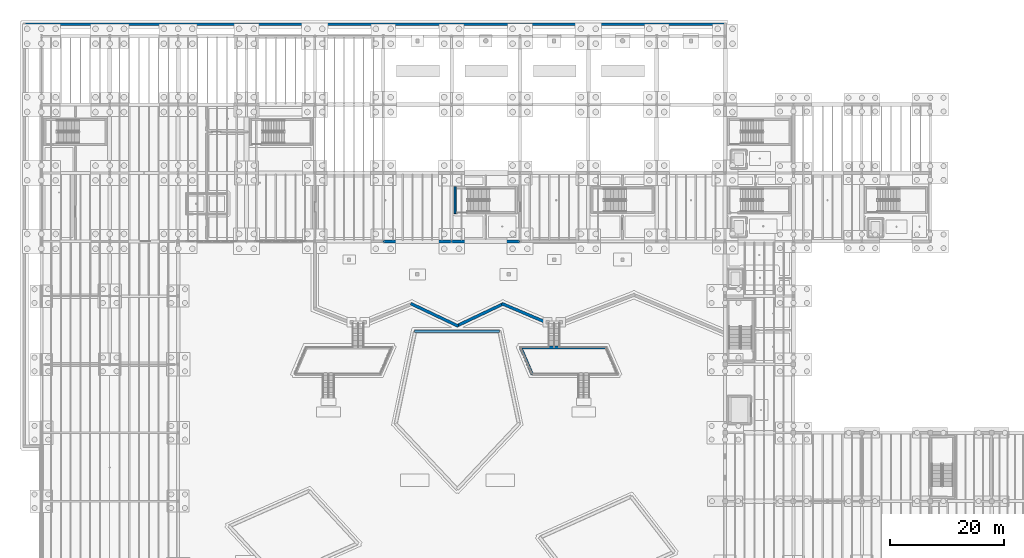
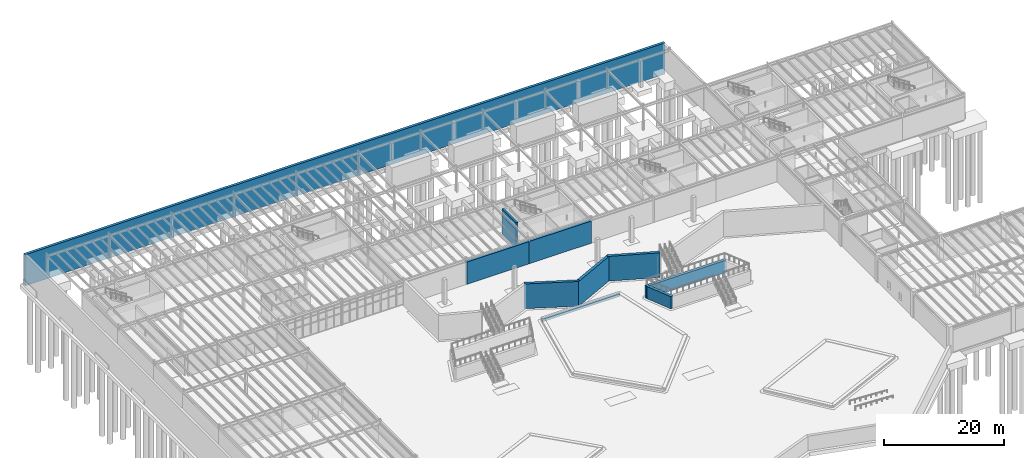
# One storey, part 36 of 67: 10 walls.
"""IFC4 building model written with IfcOpenShell, lengths in metres."""

from ifc_helpers import new_model, si_unit, direction, frame, frame_2d, origin, place, context, subcontext, project, spatial, rectangle, extrude, material, layer, layer_set, type_object, element, save


model = new_model("IFC4")

# Units and contexts
model_context = context("Model", 3, precision=1e-05, world=origin(), true_north=direction((0.0, 1.0)))
body_context = subcontext(model_context, "Body", "Model", "MODEL_VIEW")
ifc_project = project(units=[si_unit("LENGTHUNIT", "METRE"), si_unit("AREAUNIT", "SQUARE_METRE"), si_unit("VOLUMEUNIT", "CUBIC_METRE"), si_unit("PLANEANGLEUNIT", "RADIAN"), si_unit("MASSUNIT", "GRAM", prefix="KILO")], contexts=[model_context])

# Site, building, storey
site_placement = place(None, origin())
site = spatial("IfcSite", under=ifc_project, at=site_placement, CompositionType="ELEMENT")
building_placement = place(site_placement, origin())
building = spatial("IfcBuilding", under=site, at=building_placement, Name="Zlatogorsky Bluff Art Gallery", CompositionType="ELEMENT")
storey_placement = place(building_placement, frame((0.0, 0.0, -5.39990234375)))
storey = spatial("IfcBuildingStorey", under=building, at=storey_placement, Name="B1", CompositionType="ELEMENT", Elevation=-5.39990234375)

# Walls
ifc_material_1 = material(Name="Precast concrete C40/50", Category="concrete")
ifc_layer_1 = layer(ifc_material_1, 0.47998046875)
ifc_layer_set_1 = layer_set([ifc_layer_1], Name="Exterior Wall EW-05 480mm")
wall_type_1 = type_object("IfcWallType", Name="Exterior Wall EW-05 480mm", PredefinedType="SOLIDWALL", material=ifc_layer_set_1)
wall_1_placement = place(storey_placement, frame((80.39990234375, 68.199951171875, 0.0), z_axis=(0.0, 0.0, 1.0), x_axis=(-1.0, 0.0, 0.0)))
element("IfcWall", 1, at=wall_1_placement, inside=storey, type_object=wall_type_1, Name="Stepped river-bluff angled concrete wall PRW-05", PredefinedType="SOLIDWALL", context=body_context, shape_type="SweptSolid", body=[
    extrude(rectangle(XDim=14.919921875, YDim=0.47998046875, at=frame_2d((7.4599609375, 0.0))), origin(), (0.0, 0.0, 1.0), 0.52001953125),
])
ifc_material_2 = material(Name="Concrete C35/45", Category="concrete")
ifc_layer_2 = layer(ifc_material_2, 0.5)
ifc_layer_set_2 = layer_set([ifc_layer_2], Name="Exterior Wall RW-02 500mm")
wall_type_2 = type_object("IfcWallType", Name="Exterior Wall RW-02 500mm", PredefinedType="USERDEFINED", material=ifc_layer_set_2)
wall_2_placement = place(storey_placement, frame((-3.179931640625, 122.10009765625, -1.300048828125), z_axis=(0.0, 0.0, 1.0), x_axis=(1.0, 0.0, 0.0)))
element("IfcWall", 2, at=wall_2_placement, inside=storey, type_object=wall_type_2, Name="Stepped river-bluff angled concrete wall NSK-03", ObjectType="RETAINING WALL", PredefinedType="USERDEFINED", context=body_context, shape_type="SweptSolid", body=[
    extrude(rectangle(XDim=123.35986328125, YDim=0.5, at=frame_2d((61.679931640625, 0.0))), origin(), (0.0, 0.0, 1.0), 6.33984375),
])
wall_3_placement = place(storey_placement, frame((60.0, 84.0, 0.0), z_axis=(0.0, 0.0, 1.0), x_axis=(1.0, 0.0, 0.0)))
element("IfcWall", 3, at=wall_3_placement, inside=storey, type_object=wall_type_2, Name="Exterior wall RW-02 B1 S 5.8", ObjectType="RETAINING WALL", PredefinedType="USERDEFINED", context=body_context, shape_type="SweptSolid", body=[
    extrude(rectangle(XDim=12.0, YDim=0.5, at=frame_2d((6.0, 0.0))), origin(), (0.0, 0.0, 1.0), 4.539794921875),
])
ifc_layer_3 = layer(ifc_material_2, 0.52001953125)
ifc_layer_set_3 = layer_set([ifc_layer_3], Name="Exterior Wall RW-03 520mm")
wall_type_3 = type_object("IfcWallType", Name="Exterior Wall RW-03 520mm", PredefinedType="USERDEFINED", material=ifc_layer_set_3)
for number, where, z_axis, x_axis, name in (
    (4, (64.83740234375, 73.0771484375, 0.0), (0.0, 0.0, 1.0), (0.903282637337, -0.429046008122, 0.0), "Stepped river-bluff angled concrete wall RIM-05"),
    (5, (72.83740234375, 69.122802734375, 0.0), (0.0, 0.0, 1.0), (0.903282637337, 0.429046008122, 0.0), "Stepped river-bluff angled concrete wall RIM-06"),
):
    element("IfcWall", number, at=place(storey_placement, frame(where, z_axis=z_axis, x_axis=x_axis)), inside=storey, type_object=wall_type_3, Name=name, ObjectType="RETAINING WALL", PredefinedType="USERDEFINED", context=body_context, shape_type="SweptSolid", body=[
        extrude(rectangle(XDim=9.216552734375, YDim=0.52001953125, at=frame_2d((4.6083984375, 0.0))), origin(), (0.0, 0.0, 1.0), 5.039794921875),
    ])
wall_4_placement = place(storey_placement, frame((80.834228515625, 73.0703125, 0.0), z_axis=(0.0, 0.0, 1.0), x_axis=(0.920340575861, -0.391117916264, 0.0)))
element("IfcWall", 6, at=wall_4_placement, inside=storey, type_object=wall_type_3, Name="Stepped river-bluff angled concrete wall RIM-07", ObjectType="RETAINING WALL", PredefinedType="USERDEFINED", context=body_context, shape_type="SweptSolid", body=[
    extrude(rectangle(XDim=8.87255859375, YDim=0.52001953125, at=frame_2d((4.436279296875, 0.0))), origin(), (0.0, 0.0, 1.0), 5.039794921875),
])
wall_5_placement = place(storey_placement, frame((99.280029296875, 65.39990234375, 0.0), z_axis=(0.0, 0.0, 1.0), x_axis=(-1.0, 0.0, 0.0)))
element("IfcWall", 7, at=wall_5_placement, inside=storey, type_object=wall_type_3, Name="Stepped river-bluff angled concrete wall EMD-03", ObjectType="RETAINING WALL", PredefinedType="USERDEFINED", context=body_context, shape_type="SweptSolid", body=[
    extrude(rectangle(XDim=15.360107421875, YDim=0.52001953125, at=frame_2d((7.68017578125, 0.0))), origin(), (0.0, 0.0, 1.0), 2.489990234375),
])
wall_6_placement = place(storey_placement, frame((84.02880859375, 65.5654296875, 0.0), z_axis=(0.0, 0.0, 1.0), x_axis=(0.395125413496, -0.918627186409, 0.0)))
element("IfcWall", 8, at=wall_6_placement, inside=storey, type_object=wall_type_3, Name="Stepped river-bluff angled concrete wall EMD-04", ObjectType="RETAINING WALL", PredefinedType="USERDEFINED", context=body_context, shape_type="SweptSolid", body=[
    extrude(rectangle(XDim=5.421875, YDim=0.52001953125, at=frame_2d((2.7109375, 0.0))), origin(), (0.0, 0.0, 1.0), 2.489990234375),
])
wall_7_placement = place(storey_placement, frame((72.0, 84.0, 0.0), z_axis=(0.0, 0.0, 1.0), x_axis=(1.0, 0.0, 0.0)))
element("IfcWall", 9, at=wall_7_placement, inside=storey, type_object=wall_type_3, Name="Exterior wall RW-03 B1 S 6.8", ObjectType="RETAINING WALL", PredefinedType="USERDEFINED", context=body_context, shape_type="SweptSolid", body=[
    extrude(rectangle(XDim=12.0, YDim=0.52001953125, at=frame_2d((6.0, 0.0))), origin(), (0.0, 0.0, 1.0), 4.539794921875),
])
ifc_layer_4 = layer(ifc_material_2, 0.35009765625)
ifc_layer_set_4 = layer_set([ifc_layer_4], Name="Interior Wall SW-02 350mm")
wall_type_4 = type_object("IfcWallType", Name="Interior Wall SW-02 350mm", PredefinedType="SHEAR", material=ifc_layer_set_4)
wall_8_placement = place(storey_placement, frame((72.625, 93.60009765625, 0.0), z_axis=(0.0, 0.0, 1.0), x_axis=(0.0, -1.0, 0.0)))
element("IfcWall", 10, at=wall_8_placement, inside=storey, type_object=wall_type_4, Name="Stair ST-08 enclosure wall B1 LEND", PredefinedType="SHEAR", context=body_context, shape_type="SweptSolid", body=[
    extrude(rectangle(XDim=4.75, YDim=0.35009765625, at=frame_2d((2.375, 0.0))), origin(), (0.0, 0.0, 1.0), 5.119873046875),
])

save(model, "model.ifc")
